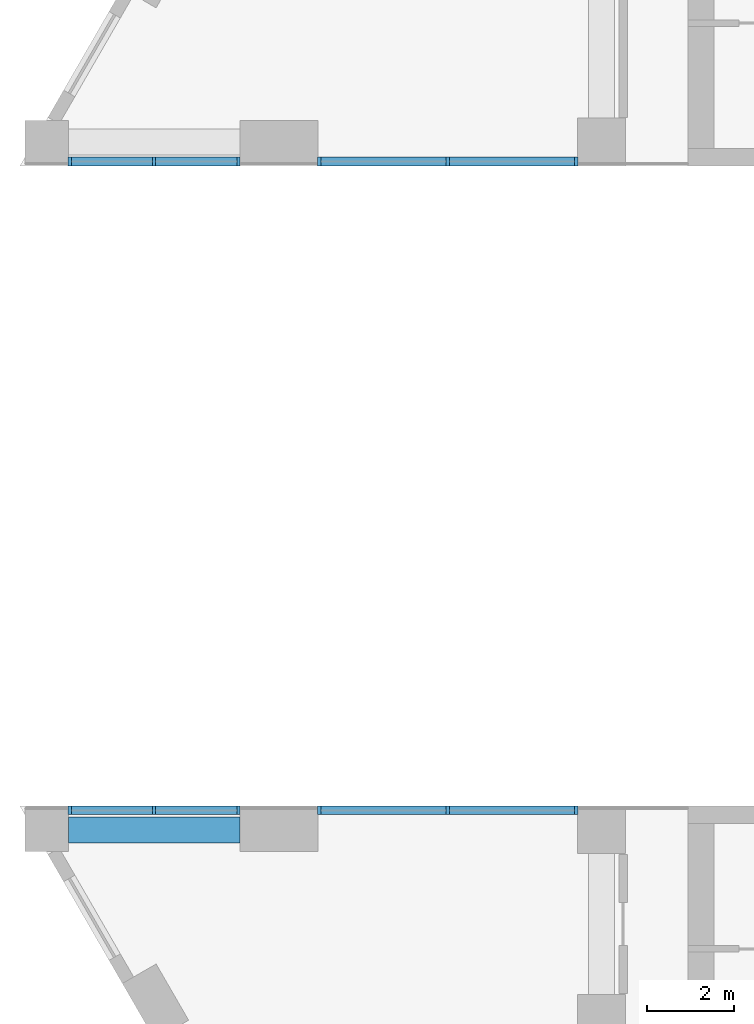
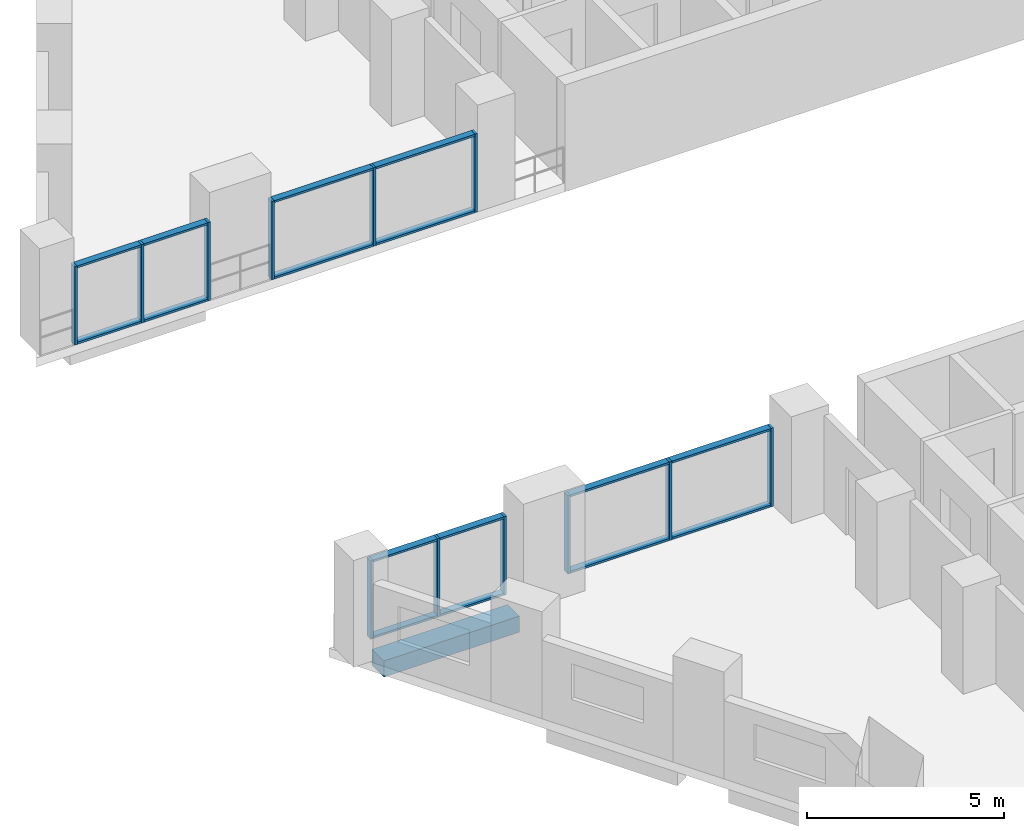
# One storey, part 2 of 11: 28 members, 1 beam, 4 elements without a shape of their own.
"""IFC4 building model written with IfcOpenShell, lengths in metres."""

from ifc_helpers import new_model, si_unit, direction, frame, origin, origin_2d, place, context, subcontext, project, spatial, rectangle, extrude, material, layer, layer_set, material_profile, profile_set, type_object, element, aggregate, save


model = new_model("IFC4")

# Units and contexts
model_context = context("Model", 3, precision=1e-05, world=origin(), true_north=direction((0.0, 1.0)))
body_context = subcontext(model_context, "Body", "Model", "MODEL_VIEW")
ifc_project = project(units=[si_unit("LENGTHUNIT", "METRE"), si_unit("AREAUNIT", "SQUARE_METRE"), si_unit("VOLUMEUNIT", "CUBIC_METRE"), si_unit("PLANEANGLEUNIT", "RADIAN"), si_unit("MASSUNIT", "GRAM", prefix="KILO")], contexts=[model_context])

# Site, building, storey
site_placement = place(None, origin())
site = spatial("IfcSite", under=ifc_project, at=site_placement, CompositionType="ELEMENT")
building_placement = place(site_placement, origin())
building = spatial("IfcBuilding", under=site, at=building_placement, Name="Nakaniwa Court", CompositionType="ELEMENT")
storey_placement = place(building_placement, frame((0.0, 0.0, 31.5)))
storey = spatial("IfcBuildingStorey", under=building, at=storey_placement, Name="L07", CompositionType="ELEMENT", Elevation=31.5)

# Beam
ifc_material_1 = material(Name="Concrete C100/115", Category="concrete")
ifc_material_profile_1 = material_profile(ifc_material_1, rectangle(XDim=0.60009765625, YDim=0.5, at=origin_2d()), Name="Concrete C100/115 RC 600x500 ring beam")
ifc_profile_set_1 = profile_set([ifc_material_profile_1], Name="Concrete C100/115")
beam_type = type_object("IfcBeamType", Name="Concrete C100/115 RC 600x500 ring beam", PredefinedType="BEAM", material=ifc_profile_set_1)
beam_placement = place(storey_placement, frame((57.677001953125, 72.050048828125, -0.52490234375), z_axis=(1.0, 0.0, 0.0), x_axis=(0.0, 1.0, 0.0)))
element("IfcBeam", 1, at=beam_placement, inside=storey, type_object=beam_type, Name="RING BEAM", PredefinedType="BEAM", context=body_context, shape_type="SweptSolid", body=[
    extrude(rectangle(XDim=0.60009765625, YDim=0.5, at=origin_2d()), origin(), (0.0, 0.0, 1.0), 3.965087890625),
])

# Curtain wall, members
ifc_material_2 = material(Name="Black anodised aluminium frame with dark low-E laminated double glazing", Category="aluminium")
ifc_layer = layer(ifc_material_2, 0.199951171875)
ifc_layer_set = layer_set([ifc_layer], Name="Black anodised aluminium frame with dark low-E laminated double glazing")
curtain_wall_type = type_object("IfcCurtainWallType", Name="Portal side curtain wall", PredefinedType="NOTDEFINED", material=ifc_layer_set)
curtain_wall_1_placement = place(storey_placement, origin())
curtain_wall_1 = element("IfcCurtainWall", 2, at=curtain_wall_1_placement, inside=storey, type_object=curtain_wall_type, Name="L07 curtain wall CW5 04", PredefinedType="NOTDEFINED")
ifc_material_3 = material(Name="Black anodised aluminium extrusion", Category="aluminium")
ifc_material_profile_2 = material_profile(ifc_material_3, rectangle(XDim=0.199951171875, YDim=0.074951171875, at=origin_2d()), Name="Portal side curtain wall mullion 75x200")
ifc_profile_set_2 = profile_set([ifc_material_profile_2], Name="Black anodised aluminium extrusion")
member_type_1 = type_object("IfcMemberType", Name="Portal side curtain wall mullion 75x200", PredefinedType="MULLION", material=ifc_profile_set_2)
member_1_placement = place(storey_placement, frame((69.41650390625, 72.5, 0.0), z_axis=(0.0, 0.0, 1.0), x_axis=(0.0, -1.0, 0.0)))
member_1 = element("IfcMember", 3, at=member_1_placement, type_object=member_type_1, Name="CW5 mullion 1", PredefinedType="MULLION", context=body_context, shape_type="SweptSolid", body=[
    extrude(rectangle(XDim=0.199951171875, YDim=0.074951171875, at=origin_2d()), origin(), (0.0, 0.0, 1.0), 2.425048828125),
])
member_2_placement = place(storey_placement, frame((66.446044921875, 72.5, 0.0), z_axis=(0.0, 0.0, 1.0), x_axis=(0.0, -1.0, 0.0)))
member_2 = element("IfcMember", 4, at=member_2_placement, type_object=member_type_1, Name="CW5 mullion 2", PredefinedType="MULLION", context=body_context, shape_type="SweptSolid", body=[
    extrude(rectangle(XDim=0.199951171875, YDim=0.074951171875, at=origin_2d()), origin(), (0.0, 0.0, 1.0), 2.425048828125),
])
member_3_placement = place(storey_placement, frame((63.4755859375, 72.5, 0.0), z_axis=(0.0, 0.0, 1.0), x_axis=(0.0, -1.0, 0.0)))
member_3 = element("IfcMember", 5, at=member_3_placement, type_object=member_type_1, Name="CW5 mullion 3", PredefinedType="MULLION", context=body_context, shape_type="SweptSolid", body=[
    extrude(rectangle(XDim=0.199951171875, YDim=0.074951171875, at=origin_2d()), origin(), (0.0, 0.0, 1.0), 2.425048828125),
])

curtain_wall_2_placement = place(storey_placement, origin())
curtain_wall_2 = element("IfcCurtainWall", 6, at=curtain_wall_2_placement, inside=storey, type_object=curtain_wall_type, Name="L07 curtain wall CW5 05", PredefinedType="NOTDEFINED")
member_4_placement = place(storey_placement, frame((61.6083984375, 72.5, 0.0), z_axis=(0.0, 0.0, 1.0), x_axis=(0.0, -1.0, 0.0)))
member_4 = element("IfcMember", 7, at=member_4_placement, type_object=member_type_1, Name="CW5 mullion 1", PredefinedType="MULLION", context=body_context, shape_type="SweptSolid", body=[
    extrude(rectangle(XDim=0.199951171875, YDim=0.074951171875, at=origin_2d()), origin(), (0.0, 0.0, 1.0), 2.425048828125),
])
member_5_placement = place(storey_placement, frame((59.659423828125, 72.5, 0.0), z_axis=(0.0, 0.0, 1.0), x_axis=(0.0, -1.0, 0.0)))
member_5 = element("IfcMember", 8, at=member_5_placement, type_object=member_type_1, Name="CW5 mullion 2", PredefinedType="MULLION", context=body_context, shape_type="SweptSolid", body=[
    extrude(rectangle(XDim=0.199951171875, YDim=0.074951171875, at=origin_2d()), origin(), (0.0, 0.0, 1.0), 2.425048828125),
])
member_6_placement = place(storey_placement, frame((57.71044921875, 72.5, 0.0), z_axis=(0.0, 0.0, 1.0), x_axis=(0.0, -1.0, 0.0)))
member_6 = element("IfcMember", 9, at=member_6_placement, type_object=member_type_1, Name="CW5 mullion 3", PredefinedType="MULLION", context=body_context, shape_type="SweptSolid", body=[
    extrude(rectangle(XDim=0.199951171875, YDim=0.074951171875, at=origin_2d()), origin(), (0.0, 0.0, 1.0), 2.425048828125),
])

curtain_wall_3_placement = place(storey_placement, origin())
curtain_wall_3 = element("IfcCurtainWall", 10, at=curtain_wall_3_placement, inside=storey, type_object=curtain_wall_type, Name="L07 curtain wall CW5 17", PredefinedType="NOTDEFINED")
member_7_placement = place(storey_placement, frame((57.71044921875, 87.5, 0.0), z_axis=(0.0, 0.0, 1.0), x_axis=(0.0, 1.0, 0.0)))
member_7 = element("IfcMember", 11, at=member_7_placement, type_object=member_type_1, Name="CW5 mullion 1", PredefinedType="MULLION", context=body_context, shape_type="SweptSolid", body=[
    extrude(rectangle(XDim=0.199951171875, YDim=0.074951171875, at=origin_2d()), origin(), (0.0, 0.0, 1.0), 2.425048828125),
])
member_8_placement = place(storey_placement, frame((59.659423828125, 87.5, 0.0), z_axis=(0.0, 0.0, 1.0), x_axis=(0.0, 1.0, 0.0)))
member_8 = element("IfcMember", 12, at=member_8_placement, type_object=member_type_1, Name="CW5 mullion 2", PredefinedType="MULLION", context=body_context, shape_type="SweptSolid", body=[
    extrude(rectangle(XDim=0.199951171875, YDim=0.074951171875, at=origin_2d()), origin(), (0.0, 0.0, 1.0), 2.425048828125),
])
member_9_placement = place(storey_placement, frame((61.6083984375, 87.5, 0.0), z_axis=(0.0, 0.0, 1.0), x_axis=(0.0, 1.0, 0.0)))
member_9 = element("IfcMember", 13, at=member_9_placement, type_object=member_type_1, Name="CW5 mullion 3", PredefinedType="MULLION", context=body_context, shape_type="SweptSolid", body=[
    extrude(rectangle(XDim=0.199951171875, YDim=0.074951171875, at=origin_2d()), origin(), (0.0, 0.0, 1.0), 2.425048828125),
])

curtain_wall_4_placement = place(storey_placement, origin())
curtain_wall_4 = element("IfcCurtainWall", 14, at=curtain_wall_4_placement, inside=storey, type_object=curtain_wall_type, Name="L07 curtain wall CW5 18", PredefinedType="NOTDEFINED")
member_10_placement = place(storey_placement, frame((63.4755859375, 87.5, 0.0), z_axis=(0.0, 0.0, 1.0), x_axis=(0.0, 1.0, 0.0)))
member_10 = element("IfcMember", 15, at=member_10_placement, type_object=member_type_1, Name="CW5 mullion 1", PredefinedType="MULLION", context=body_context, shape_type="SweptSolid", body=[
    extrude(rectangle(XDim=0.199951171875, YDim=0.074951171875, at=origin_2d()), origin(), (0.0, 0.0, 1.0), 2.425048828125),
])
member_11_placement = place(storey_placement, frame((66.446044921875, 87.5, 0.0), z_axis=(0.0, 0.0, 1.0), x_axis=(0.0, 1.0, 0.0)))
member_11 = element("IfcMember", 16, at=member_11_placement, type_object=member_type_1, Name="CW5 mullion 2", PredefinedType="MULLION", context=body_context, shape_type="SweptSolid", body=[
    extrude(rectangle(XDim=0.199951171875, YDim=0.074951171875, at=origin_2d()), origin(), (0.0, 0.0, 1.0), 2.425048828125),
])
member_12_placement = place(storey_placement, frame((69.41650390625, 87.5, 0.0), z_axis=(0.0, 0.0, 1.0), x_axis=(0.0, 1.0, 0.0)))
member_12 = element("IfcMember", 17, at=member_12_placement, type_object=member_type_1, Name="CW5 mullion 3", PredefinedType="MULLION", context=body_context, shape_type="SweptSolid", body=[
    extrude(rectangle(XDim=0.199951171875, YDim=0.074951171875, at=origin_2d()), origin(), (0.0, 0.0, 1.0), 2.425048828125),
])

# Member
ifc_material_profile_3 = material_profile(ifc_material_3, rectangle(XDim=0.199951171875, YDim=0.06494140625, at=origin_2d()), Name="Portal side curtain wall transom 65x200")
ifc_profile_set_3 = profile_set([ifc_material_profile_3], Name="Black anodised aluminium extrusion")
member_type_2 = type_object("IfcMemberType", Name="Portal side curtain wall transom 65x200", PredefinedType="USERDEFINED", material=ifc_profile_set_3)
member_13_placement = place(storey_placement, frame((69.37890625, 72.5, 0.032470703125), z_axis=(-1.0, 0.0, 0.0), x_axis=(0.0, -1.0, 0.0)))
member_13 = element("IfcMember", 18, at=member_13_placement, type_object=member_type_2, Name="CW5 transom 1.1", ObjectType="TRANSOM", PredefinedType="USERDEFINED", context=body_context, shape_type="SweptSolid", body=[
    extrude(rectangle(XDim=0.199951171875, YDim=0.06494140625, at=origin_2d()), origin(), (0.0, 0.0, 1.0), 2.8955078125),
])

member_14_placement = place(storey_placement, frame((69.37890625, 72.5, 2.392578125), z_axis=(-1.0, 0.0, 0.0), x_axis=(0.0, -1.0, 0.0)))
member_14 = element("IfcMember", 19, at=member_14_placement, type_object=member_type_2, Name="CW5 transom 1.2", ObjectType="TRANSOM", PredefinedType="USERDEFINED", context=body_context, shape_type="SweptSolid", body=[
    extrude(rectangle(XDim=0.199951171875, YDim=0.06494140625, at=origin_2d()), origin(), (0.0, 0.0, 1.0), 2.8955078125),
])

member_15_placement = place(storey_placement, frame((66.408447265625, 72.5, 0.032470703125), z_axis=(-1.0, 0.0, 0.0), x_axis=(0.0, -1.0, 0.0)))
member_15 = element("IfcMember", 20, at=member_15_placement, type_object=member_type_2, Name="CW5 transom 2.1", ObjectType="TRANSOM", PredefinedType="USERDEFINED", context=body_context, shape_type="SweptSolid", body=[
    extrude(rectangle(XDim=0.199951171875, YDim=0.06494140625, at=origin_2d()), origin(), (0.0, 0.0, 1.0), 2.8955078125),
])

member_16_placement = place(storey_placement, frame((66.408447265625, 72.5, 2.392578125), z_axis=(-1.0, 0.0, 0.0), x_axis=(0.0, -1.0, 0.0)))
member_16 = element("IfcMember", 21, at=member_16_placement, type_object=member_type_2, Name="CW5 transom 2.2", ObjectType="TRANSOM", PredefinedType="USERDEFINED", context=body_context, shape_type="SweptSolid", body=[
    extrude(rectangle(XDim=0.199951171875, YDim=0.06494140625, at=origin_2d()), origin(), (0.0, 0.0, 1.0), 2.8955078125),
])

aggregate(curtain_wall_1, [member_1, member_2, member_3, member_13, member_14, member_15, member_16])

member_17_placement = place(storey_placement, frame((61.571044921875, 72.5, 0.032470703125), z_axis=(-1.0, 0.0, 0.0), x_axis=(0.0, -1.0, 0.0)))
member_17 = element("IfcMember", 22, at=member_17_placement, type_object=member_type_2, Name="CW5 transom 1.1", ObjectType="TRANSOM", PredefinedType="USERDEFINED", context=body_context, shape_type="SweptSolid", body=[
    extrude(rectangle(XDim=0.199951171875, YDim=0.06494140625, at=origin_2d()), origin(), (0.0, 0.0, 1.0), 1.8740234375),
])

member_18_placement = place(storey_placement, frame((61.571044921875, 72.5, 2.392578125), z_axis=(-1.0, 0.0, 0.0), x_axis=(0.0, -1.0, 0.0)))
member_18 = element("IfcMember", 23, at=member_18_placement, type_object=member_type_2, Name="CW5 transom 1.2", ObjectType="TRANSOM", PredefinedType="USERDEFINED", context=body_context, shape_type="SweptSolid", body=[
    extrude(rectangle(XDim=0.199951171875, YDim=0.06494140625, at=origin_2d()), origin(), (0.0, 0.0, 1.0), 1.8740234375),
])

member_19_placement = place(storey_placement, frame((59.6220703125, 72.5, 0.032470703125), z_axis=(-1.0, 0.0, 0.0), x_axis=(0.0, -1.0, 0.0)))
member_19 = element("IfcMember", 24, at=member_19_placement, type_object=member_type_2, Name="CW5 transom 2.1", ObjectType="TRANSOM", PredefinedType="USERDEFINED", context=body_context, shape_type="SweptSolid", body=[
    extrude(rectangle(XDim=0.199951171875, YDim=0.06494140625, at=origin_2d()), origin(), (0.0, 0.0, 1.0), 1.8740234375),
])

member_20_placement = place(storey_placement, frame((59.6220703125, 72.5, 2.392578125), z_axis=(-1.0, 0.0, 0.0), x_axis=(0.0, -1.0, 0.0)))
member_20 = element("IfcMember", 25, at=member_20_placement, type_object=member_type_2, Name="CW5 transom 2.2", ObjectType="TRANSOM", PredefinedType="USERDEFINED", context=body_context, shape_type="SweptSolid", body=[
    extrude(rectangle(XDim=0.199951171875, YDim=0.06494140625, at=origin_2d()), origin(), (0.0, 0.0, 1.0), 1.8740234375),
])

aggregate(curtain_wall_2, [member_4, member_5, member_6, member_17, member_18, member_19, member_20])

member_21_placement = place(storey_placement, frame((57.748046875, 87.5, 0.032470703125), z_axis=(1.0, 0.0, 0.0), x_axis=(0.0, 1.0, 0.0)))
member_21 = element("IfcMember", 26, at=member_21_placement, type_object=member_type_2, Name="CW5 transom 1.1", ObjectType="TRANSOM", PredefinedType="USERDEFINED", context=body_context, shape_type="SweptSolid", body=[
    extrude(rectangle(XDim=0.199951171875, YDim=0.06494140625, at=origin_2d()), origin(), (0.0, 0.0, 1.0), 1.8740234375),
])

member_22_placement = place(storey_placement, frame((57.748046875, 87.5, 2.392578125), z_axis=(1.0, 0.0, 0.0), x_axis=(0.0, 1.0, 0.0)))
member_22 = element("IfcMember", 27, at=member_22_placement, type_object=member_type_2, Name="CW5 transom 1.2", ObjectType="TRANSOM", PredefinedType="USERDEFINED", context=body_context, shape_type="SweptSolid", body=[
    extrude(rectangle(XDim=0.199951171875, YDim=0.06494140625, at=origin_2d()), origin(), (0.0, 0.0, 1.0), 1.8740234375),
])

member_23_placement = place(storey_placement, frame((59.697021484375, 87.5, 0.032470703125), z_axis=(1.0, 0.0, 0.0), x_axis=(0.0, 1.0, 0.0)))
member_23 = element("IfcMember", 28, at=member_23_placement, type_object=member_type_2, Name="CW5 transom 2.1", ObjectType="TRANSOM", PredefinedType="USERDEFINED", context=body_context, shape_type="SweptSolid", body=[
    extrude(rectangle(XDim=0.199951171875, YDim=0.06494140625, at=origin_2d()), origin(), (0.0, 0.0, 1.0), 1.8740234375),
])

member_24_placement = place(storey_placement, frame((59.697021484375, 87.5, 2.392578125), z_axis=(1.0, 0.0, 0.0), x_axis=(0.0, 1.0, 0.0)))
member_24 = element("IfcMember", 29, at=member_24_placement, type_object=member_type_2, Name="CW5 transom 2.2", ObjectType="TRANSOM", PredefinedType="USERDEFINED", context=body_context, shape_type="SweptSolid", body=[
    extrude(rectangle(XDim=0.199951171875, YDim=0.06494140625, at=origin_2d()), origin(), (0.0, 0.0, 1.0), 1.8740234375),
])

aggregate(curtain_wall_3, [member_7, member_8, member_9, member_21, member_22, member_23, member_24])

member_25_placement = place(storey_placement, frame((63.512939453125, 87.5, 0.032470703125), z_axis=(1.0, 0.0, 0.0), x_axis=(0.0, 1.0, 0.0)))
member_25 = element("IfcMember", 30, at=member_25_placement, type_object=member_type_2, Name="CW5 transom 1.1", ObjectType="TRANSOM", PredefinedType="USERDEFINED", context=body_context, shape_type="SweptSolid", body=[
    extrude(rectangle(XDim=0.199951171875, YDim=0.06494140625, at=origin_2d()), origin(), (0.0, 0.0, 1.0), 2.8955078125),
])

member_26_placement = place(storey_placement, frame((63.512939453125, 87.5, 2.392578125), z_axis=(1.0, 0.0, 0.0), x_axis=(0.0, 1.0, 0.0)))
member_26 = element("IfcMember", 31, at=member_26_placement, type_object=member_type_2, Name="CW5 transom 1.2", ObjectType="TRANSOM", PredefinedType="USERDEFINED", context=body_context, shape_type="SweptSolid", body=[
    extrude(rectangle(XDim=0.199951171875, YDim=0.06494140625, at=origin_2d()), origin(), (0.0, 0.0, 1.0), 2.8955078125),
])

member_27_placement = place(storey_placement, frame((66.4833984375, 87.5, 0.032470703125), z_axis=(1.0, 0.0, 0.0), x_axis=(0.0, 1.0, 0.0)))
member_27 = element("IfcMember", 32, at=member_27_placement, type_object=member_type_2, Name="CW5 transom 2.1", ObjectType="TRANSOM", PredefinedType="USERDEFINED", context=body_context, shape_type="SweptSolid", body=[
    extrude(rectangle(XDim=0.199951171875, YDim=0.06494140625, at=origin_2d()), origin(), (0.0, 0.0, 1.0), 2.8955078125),
])

member_28_placement = place(storey_placement, frame((66.4833984375, 87.5, 2.392578125), z_axis=(1.0, 0.0, 0.0), x_axis=(0.0, 1.0, 0.0)))
member_28 = element("IfcMember", 33, at=member_28_placement, type_object=member_type_2, Name="CW5 transom 2.2", ObjectType="TRANSOM", PredefinedType="USERDEFINED", context=body_context, shape_type="SweptSolid", body=[
    extrude(rectangle(XDim=0.199951171875, YDim=0.06494140625, at=origin_2d()), origin(), (0.0, 0.0, 1.0), 2.8955078125),
])

aggregate(curtain_wall_4, [member_10, member_11, member_12, member_25, member_26, member_27, member_28])

save(model, "model.ifc")
